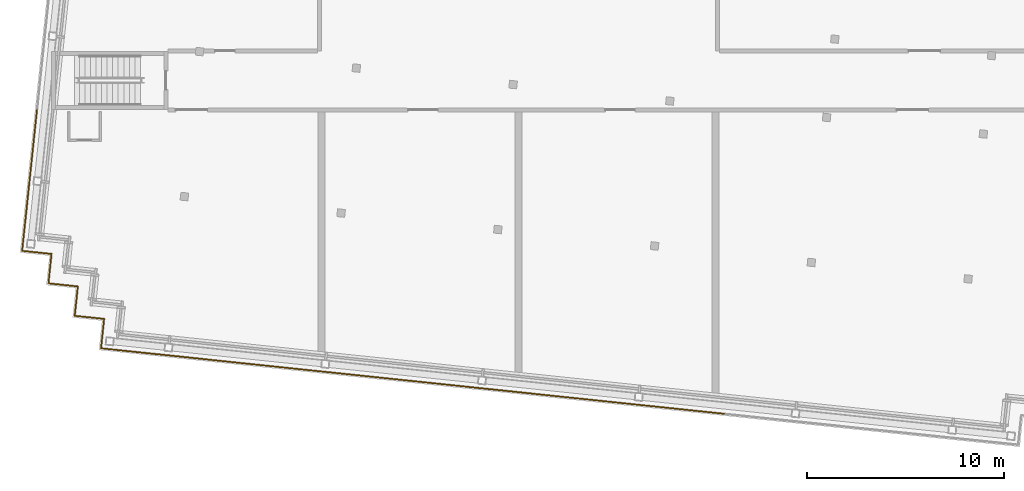
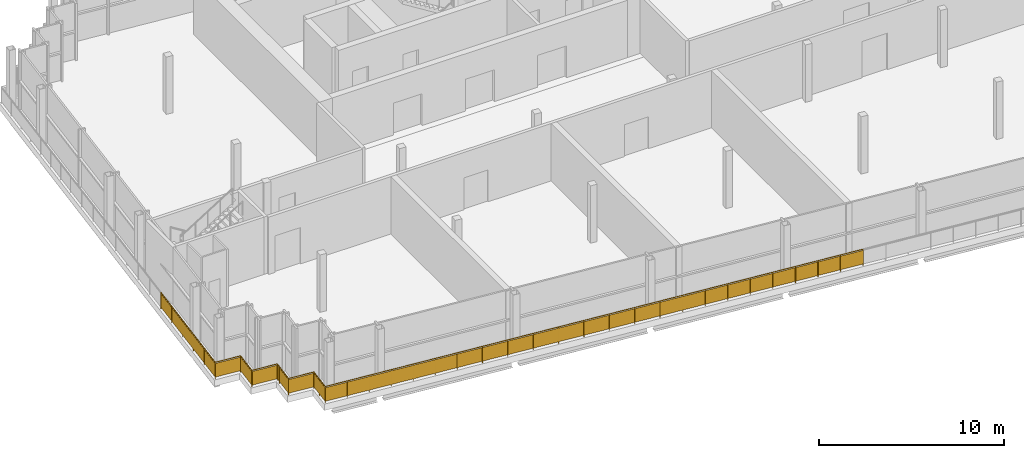
# One storey, part 10 of 13: 4 railings.
"""IFC4 building model written with IfcOpenShell, lengths in metres."""

from ifc_helpers import new_model, si_unit, direction, frame, origin, origin_2d, place, context, subcontext, project, spatial, rectangle, circle, extrude, material, type_object, element, save


model = new_model("IFC4")

# Units and contexts
model_context = context("Model", 3, precision=1e-05, world=origin(), true_north=direction((0.0, 1.0)))
body_context = subcontext(model_context, "Body", "Model", "MODEL_VIEW")
ifc_project = project(units=[si_unit("LENGTHUNIT", "METRE"), si_unit("AREAUNIT", "SQUARE_METRE"), si_unit("VOLUMEUNIT", "CUBIC_METRE"), si_unit("PLANEANGLEUNIT", "RADIAN"), si_unit("MASSUNIT", "GRAM", prefix="KILO")], contexts=[model_context])

# Site, building, storey
site_placement = place(None, origin())
site = spatial("IfcSite", under=ifc_project, at=site_placement, CompositionType="ELEMENT")
building_placement = place(site_placement, origin())
building = spatial("IfcBuilding", under=site, at=building_placement, Name="Vidyagriha Tower", CompositionType="ELEMENT")
storey_placement = place(building_placement, frame((0.0, 0.0, 309.199951171875)))
storey = spatial("IfcBuildingStorey", under=building, at=storey_placement, Name="L79", CompositionType="ELEMENT", Elevation=309.199951171875)

# Railings
ifc_material = material(Name="Steel ASTM A500 Grade C black painted", Category="steel")
railing_type = type_object("IfcRailingType", Name="Gallery guard 1100", PredefinedType="GUARDRAIL", material=ifc_material)
railing_1_placement = place(storey_placement, frame((10.43408203125, -16.922607421875, 0.0)))
element("IfcRailing", 1, at=railing_1_placement, inside=storey, type_object=railing_type, Name="Gallery guard L79 3", PredefinedType="GUARDRAIL", context=body_context, shape_type="SweptSolid", body=[
    extrude(circle(Radius=0.02490234375, at=origin_2d()), frame((0.0, 0.0, 1.0751953125), z_axis=(-0.994521494219, 0.104532279878, 0.0), x_axis=(-0.104532279878, -0.994521494219, 0.0)), (0.0, 0.0, 1.0), 12.0),
    extrude(circle(Radius=0.02001953125, at=origin_2d()), origin(), (0.0, 0.0, 1.0), 1.050048828125),
    extrude(circle(Radius=0.02001953125, at=origin_2d()), frame((-1.325927734375, 0.139404296875, 0.0)), (0.0, 0.0, 1.0), 1.050048828125),
    extrude(circle(Radius=0.02001953125, at=origin_2d()), frame((-2.652099609375, 0.27880859375, 0.0)), (0.0, 0.0, 1.0), 1.050048828125),
    extrude(circle(Radius=0.02001953125, at=origin_2d()), frame((-3.97802734375, 0.418212890625, 0.0)), (0.0, 0.0, 1.0), 1.050048828125),
    extrude(circle(Radius=0.02001953125, at=origin_2d()), frame((-5.30419921875, 0.5576171875, 0.0)), (0.0, 0.0, 1.0), 1.050048828125),
    extrude(circle(Radius=0.02001953125, at=origin_2d()), frame((-6.630126953125, 0.69677734375, 0.0)), (0.0, 0.0, 1.0), 1.050048828125),
    extrude(circle(Radius=0.02001953125, at=origin_2d()), frame((-7.956298828125, 0.836181640625, 0.0)), (0.0, 0.0, 1.0), 1.050048828125),
    extrude(circle(Radius=0.02001953125, at=origin_2d()), frame((-9.2822265625, 0.9755859375, 0.0)), (0.0, 0.0, 1.0), 1.050048828125),
    extrude(circle(Radius=0.02001953125, at=origin_2d()), frame((-10.6083984375, 1.114990234375, 0.0)), (0.0, 0.0, 1.0), 1.050048828125),
    extrude(circle(Radius=0.02001953125, at=origin_2d()), frame((-11.934326171875, 1.25439453125, 0.0)), (0.0, 0.0, 1.0), 1.050048828125),
    extrude(rectangle(XDim=0.010009765625, YDim=0.900146484375, at=origin_2d()), frame((0.0, 0.0, 0.550048828125), z_axis=(-0.994521494219, 0.104532279878, 0.0), x_axis=(-0.104532279878, -0.994521494219, 0.0)), (0.0, 0.0, 1.0), 12.0),
])
railing_2_placement = place(storey_placement, frame((-1.500244140625, -15.668212890625, 0.0)))
element("IfcRailing", 2, at=railing_2_placement, inside=storey, type_object=railing_type, Name="Gallery guard L79 4", PredefinedType="GUARDRAIL", context=body_context, shape_type="SweptSolid", body=[
    extrude(circle(Radius=0.02490234375, at=origin_2d()), frame((0.0, 0.0, 1.0751953125), z_axis=(-0.994521271903, 0.104534394972, 0.0), x_axis=(-0.104534394972, -0.994521271903, 0.0)), (0.0, 0.0, 1.0), 11.999755859375),
    extrude(circle(Radius=0.02001953125, at=origin_2d()), origin(), (0.0, 0.0, 1.0), 1.050048828125),
    extrude(circle(Radius=0.02001953125, at=origin_2d()), frame((-1.49169921875, 0.15673828125, 0.0)), (0.0, 0.0, 1.0), 1.050048828125),
    extrude(circle(Radius=0.02001953125, at=origin_2d()), frame((-2.9833984375, 0.3134765625, 0.0)), (0.0, 0.0, 1.0), 1.050048828125),
    extrude(circle(Radius=0.02001953125, at=origin_2d()), frame((-4.475341796875, 0.470458984375, 0.0)), (0.0, 0.0, 1.0), 1.050048828125),
    extrude(circle(Radius=0.02001953125, at=origin_2d()), frame((-5.967041015625, 0.627197265625, 0.0)), (0.0, 0.0, 1.0), 1.050048828125),
    extrude(circle(Radius=0.02001953125, at=origin_2d()), frame((-7.458740234375, 0.783935546875, 0.0)), (0.0, 0.0, 1.0), 1.050048828125),
    extrude(circle(Radius=0.02001953125, at=origin_2d()), frame((-8.95068359375, 0.94091796875, 0.0)), (0.0, 0.0, 1.0), 1.050048828125),
    extrude(circle(Radius=0.02001953125, at=origin_2d()), frame((-10.4423828125, 1.09765625, 0.0)), (0.0, 0.0, 1.0), 1.050048828125),
    extrude(circle(Radius=0.02001953125, at=origin_2d()), frame((-11.93408203125, 1.25439453125, 0.0)), (0.0, 0.0, 1.0), 1.050048828125),
    extrude(rectangle(XDim=0.010009765625, YDim=0.900146484375, at=origin_2d()), frame((0.0, 0.0, 0.550048828125), z_axis=(-0.994521271903, 0.104534394972, 0.0), x_axis=(-0.104534394972, -0.994521271903, 0.0)), (0.0, 0.0, 1.0), 11.999755859375),
])
railing_3_placement = place(storey_placement, frame((-13.434326171875, -14.413818359375, 0.0)))
element("IfcRailing", 3, at=railing_3_placement, inside=storey, type_object=railing_type, Name="Gallery guard L79 5", PredefinedType="GUARDRAIL", context=body_context, shape_type="SweptSolid", body=[
    extrude(circle(Radius=0.02490234375, at=origin_2d()), frame((0.0, 0.0, 1.0751953125), z_axis=(-0.994523788829, 0.10451044662, 0.0), x_axis=(-0.10451044662, -0.994523788829, 0.0)), (0.0, 0.0, 1.0), 7.800048828125),
    extrude(circle(Radius=0.02490234375, at=origin_2d()), frame((-7.75732421875, 0.815185546875, 1.0751953125), z_axis=(0.104481464157, 0.994526834051, 0.0), x_axis=(-0.994526834051, 0.104481464157, 0.0)), (0.0, 0.0, 1.0), 1.500244140625),
    extrude(circle(Radius=0.02490234375, at=origin_2d()), frame((-7.6005859375, 2.30712890625, 1.0751953125), z_axis=(-0.994525057048, 0.104498377516, 0.0), x_axis=(-0.104498377516, -0.994525057048, 0.0)), (0.0, 0.0, 1.0), 1.5),
    extrude(circle(Radius=0.02490234375, at=origin_2d()), frame((-9.09228515625, 2.4638671875, 1.0751953125), z_axis=(0.104578872801, 0.994516595821, 0.0), x_axis=(-0.994516595821, 0.104578872801, 0.0)), (0.0, 0.0, 1.0), 1.199951171875),
    extrude(circle(Radius=0.02001953125, at=origin_2d()), origin(), (0.0, 0.0, 1.0), 1.050048828125),
    extrude(circle(Radius=0.02001953125, at=origin_2d()), frame((-1.29296875, 0.1357421875, 0.0)), (0.0, 0.0, 1.0), 1.050048828125),
    extrude(circle(Radius=0.02001953125, at=origin_2d()), frame((-2.585693359375, 0.271728515625, 0.0)), (0.0, 0.0, 1.0), 1.050048828125),
    extrude(circle(Radius=0.02001953125, at=origin_2d()), frame((-3.878662109375, 0.40771484375, 0.0)), (0.0, 0.0, 1.0), 1.050048828125),
    extrude(circle(Radius=0.02001953125, at=origin_2d()), frame((-5.171630859375, 0.54345703125, 0.0)), (0.0, 0.0, 1.0), 1.050048828125),
    extrude(circle(Radius=0.02001953125, at=origin_2d()), frame((-6.46435546875, 0.67919921875, 0.0)), (0.0, 0.0, 1.0), 1.050048828125),
    extrude(circle(Radius=0.02001953125, at=origin_2d()), frame((-7.75732421875, 0.815185546875, 0.0)), (0.0, 0.0, 1.0), 1.050048828125),
    extrude(circle(Radius=0.02001953125, at=origin_2d()), frame((-7.678955078125, 1.56103515625, 0.0)), (0.0, 0.0, 1.0), 1.050048828125),
    extrude(circle(Radius=0.02001953125, at=origin_2d()), frame((-7.6005859375, 2.30712890625, 0.0)), (0.0, 0.0, 1.0), 1.050048828125),
    extrude(circle(Radius=0.02001953125, at=origin_2d()), frame((-9.09228515625, 2.4638671875, 0.0)), (0.0, 0.0, 1.0), 1.050048828125),
    extrude(circle(Radius=0.02001953125, at=origin_2d()), frame((-8.966796875, 3.6572265625, 0.0)), (0.0, 0.0, 1.0), 1.050048828125),
    extrude(rectangle(XDim=0.010009765625, YDim=0.900146484375, at=origin_2d()), frame((0.0, 0.0, 0.550048828125), z_axis=(-0.994523788829, 0.10451044662, 0.0), x_axis=(-0.10451044662, -0.994523788829, 0.0)), (0.0, 0.0, 1.0), 7.800048828125),
    extrude(rectangle(XDim=0.010009765625, YDim=0.900146484375, at=origin_2d()), frame((-7.75732421875, 0.815185546875, 0.550048828125), z_axis=(0.104481464157, 0.994526834051, 0.0), x_axis=(-0.994526834051, 0.104481464157, 0.0)), (0.0, 0.0, 1.0), 1.500244140625),
    extrude(rectangle(XDim=0.010009765625, YDim=0.900146484375, at=origin_2d()), frame((-7.6005859375, 2.30712890625, 0.550048828125), z_axis=(-0.994525057048, 0.104498377516, 0.0), x_axis=(-0.104498377516, -0.994525057048, 0.0)), (0.0, 0.0, 1.0), 1.5),
    extrude(rectangle(XDim=0.010009765625, YDim=0.900146484375, at=origin_2d()), frame((-9.09228515625, 2.4638671875, 0.550048828125), z_axis=(0.104578872801, 0.994516595821, 0.0), x_axis=(-0.994516595821, 0.104578872801, 0.0)), (0.0, 0.0, 1.0), 1.199951171875),
])
railing_4_placement = place(storey_placement, frame((-22.401123046875, -10.756591796875, 0.0)))
element("IfcRailing", 4, at=railing_4_placement, inside=storey, type_object=railing_type, Name="Gallery guard L79 6", PredefinedType="GUARDRAIL", context=body_context, shape_type="SweptSolid", body=[
    extrude(circle(Radius=0.02490234375, at=origin_2d()), frame((0.0, 0.0, 1.0751953125), z_axis=(0.104176375855, 0.994558838236, 0.0), x_axis=(-0.994558838236, 0.104176375855, 0.0)), (0.0, 0.0, 1.0), 0.300048828125),
    extrude(circle(Radius=0.02490234375, at=origin_2d()), frame((0.03125, 0.29833984375, 1.0751953125), z_axis=(-0.994525057048, 0.104498377516, 0.0), x_axis=(-0.104498377516, -0.994525057048, 0.0)), (0.0, 0.0, 1.0), 1.5),
    extrude(circle(Radius=0.02490234375, at=origin_2d()), frame((-1.46044921875, 0.455078125, 1.0751953125), z_axis=(0.104498377516, 0.994525057048, 0.0), x_axis=(-0.994525057048, 0.104498377516, 0.0)), (0.0, 0.0, 1.0), 1.5),
    extrude(circle(Radius=0.02490234375, at=origin_2d()), frame((-1.3037109375, 1.94677734375, 1.0751953125), z_axis=(-0.994508128223, 0.104659366031, 0.0), x_axis=(-0.104659366031, -0.994508128223, 0.0)), (0.0, 0.0, 1.0), 1.5),
    extrude(circle(Radius=0.02490234375, at=origin_2d()), frame((-2.79541015625, 2.103759765625, 1.0751953125), z_axis=(0.10450474476, 0.994524387998, 0.0), x_axis=(-0.994524387998, 0.10450474476, 0.0)), (0.0, 0.0, 1.0), 7.199951171875),
    extrude(circle(Radius=0.02001953125, at=origin_2d()), origin(), (0.0, 0.0, 1.0), 1.050048828125),
    extrude(circle(Radius=0.02001953125, at=origin_2d()), frame((0.03125, 0.29833984375, 0.0)), (0.0, 0.0, 1.0), 1.050048828125),
    extrude(circle(Radius=0.02001953125, at=origin_2d()), frame((-1.46044921875, 0.455078125, 0.0)), (0.0, 0.0, 1.0), 1.050048828125),
    extrude(circle(Radius=0.02001953125, at=origin_2d()), frame((-1.3037109375, 1.94677734375, 0.0)), (0.0, 0.0, 1.0), 1.050048828125),
    extrude(circle(Radius=0.02001953125, at=origin_2d()), frame((-2.79541015625, 2.103759765625, 0.0)), (0.0, 0.0, 1.0), 1.050048828125),
    extrude(circle(Radius=0.02001953125, at=origin_2d()), frame((-2.64501953125, 3.535888671875, 0.0)), (0.0, 0.0, 1.0), 1.050048828125),
    extrude(circle(Radius=0.02001953125, at=origin_2d()), frame((-2.494384765625, 4.968017578125, 0.0)), (0.0, 0.0, 1.0), 1.050048828125),
    extrude(circle(Radius=0.02001953125, at=origin_2d()), frame((-2.343994140625, 6.400146484375, 0.0)), (0.0, 0.0, 1.0), 1.050048828125),
    extrude(circle(Radius=0.02001953125, at=origin_2d()), frame((-2.193359375, 7.832275390625, 0.0)), (0.0, 0.0, 1.0), 1.050048828125),
    extrude(circle(Radius=0.02001953125, at=origin_2d()), frame((-2.04296875, 9.264404296875, 0.0)), (0.0, 0.0, 1.0), 1.050048828125),
    extrude(rectangle(XDim=0.010009765625, YDim=0.900146484375, at=origin_2d()), frame((0.0, 0.0, 0.550048828125), z_axis=(0.104176375855, 0.994558838236, 0.0), x_axis=(-0.994558838236, 0.104176375855, 0.0)), (0.0, 0.0, 1.0), 0.300048828125),
    extrude(rectangle(XDim=0.010009765625, YDim=0.900146484375, at=origin_2d()), frame((0.03125, 0.29833984375, 0.550048828125), z_axis=(-0.994525057048, 0.104498377516, 0.0), x_axis=(-0.104498377516, -0.994525057048, 0.0)), (0.0, 0.0, 1.0), 1.5),
    extrude(rectangle(XDim=0.010009765625, YDim=0.900146484375, at=origin_2d()), frame((-1.46044921875, 0.455078125, 0.550048828125), z_axis=(0.104498377516, 0.994525057048, 0.0), x_axis=(-0.994525057048, 0.104498377516, 0.0)), (0.0, 0.0, 1.0), 1.5),
    extrude(rectangle(XDim=0.010009765625, YDim=0.900146484375, at=origin_2d()), frame((-1.3037109375, 1.94677734375, 0.550048828125), z_axis=(-0.994508128223, 0.104659366031, 0.0), x_axis=(-0.104659366031, -0.994508128223, 0.0)), (0.0, 0.0, 1.0), 1.5),
    extrude(rectangle(XDim=0.010009765625, YDim=0.900146484375, at=origin_2d()), frame((-2.79541015625, 2.103759765625, 0.550048828125), z_axis=(0.10450474476, 0.994524387998, 0.0), x_axis=(-0.994524387998, 0.10450474476, 0.0)), (0.0, 0.0, 1.0), 7.199951171875),
])

save(model, "model.ifc")
